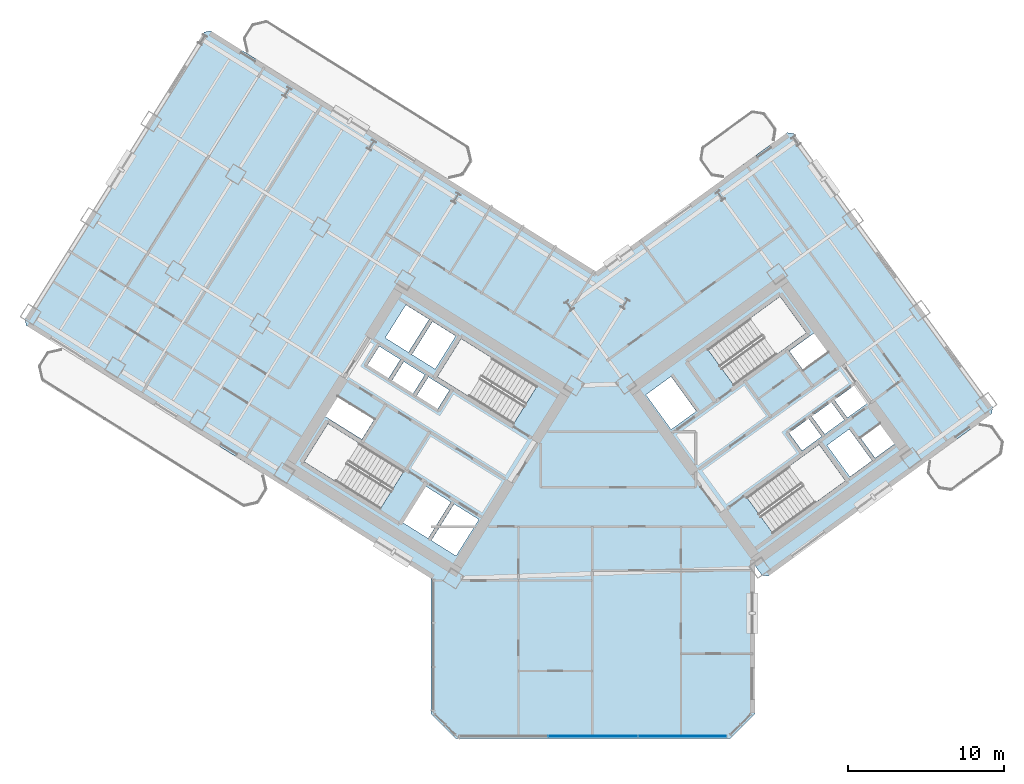
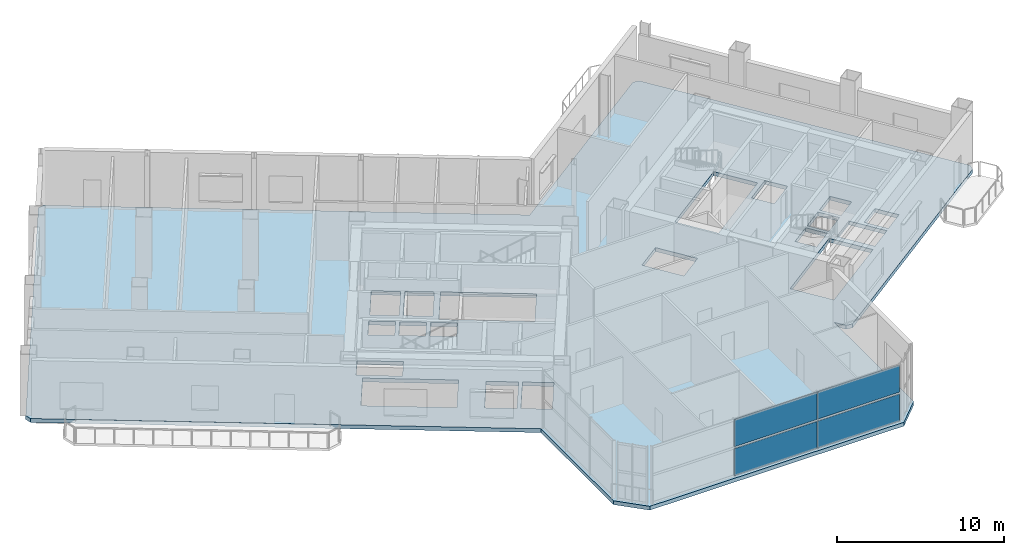
# One storey, part 9 of 19: 4 plates, 1 slab, 1 element without a shape of its own.
"""IFC4 building model written with IfcOpenShell, lengths in metres."""

from ifc_helpers import new_model, si_unit, direction, frame, origin, origin_2d, place, context, subcontext, project, spatial, polyline, rectangle, outline, extrude, source, transform, mapped, material, layer, layer_set, type_object, element, aggregate, save


model = new_model("IFC4")

# Units and contexts
model_context = context("Model", 3, precision=1e-05, world=origin(), true_north=direction((0.0, 1.0)))
body_context = subcontext(model_context, "Body", "Model", "MODEL_VIEW")
ifc_project = project(units=[si_unit("LENGTHUNIT", "METRE"), si_unit("AREAUNIT", "SQUARE_METRE"), si_unit("VOLUMEUNIT", "CUBIC_METRE"), si_unit("PLANEANGLEUNIT", "RADIAN"), si_unit("MASSUNIT", "GRAM", prefix="KILO")], contexts=[model_context])

# Site, building, storey
site_placement = place(None, origin())
site = spatial("IfcSite", under=ifc_project, at=site_placement, CompositionType="ELEMENT")
building_placement = place(site_placement, origin())
building = spatial("IfcBuilding", under=site, at=building_placement, Name="Tlacorven Tower", CompositionType="ELEMENT")
storey_placement = place(building_placement, frame((0.0, 0.0, 76.5)))
storey = spatial("IfcBuildingStorey", under=building, at=storey_placement, Name="L19", CompositionType="ELEMENT", Elevation=76.5)

# Slab
ifc_material_1 = material(Name="Concrete C50/60", Category="concrete")
ifc_layer_1 = layer(ifc_material_1, 0.280029296875)
ifc_layer_set_1 = layer_set([ifc_layer_1], Name="Concrete C50/60")
slab_type = type_object("IfcSlabType", Name="SL-WND-280", PredefinedType="FLOOR", material=ifc_layer_set_1)
slab_placement = place(storey_placement, frame((0.0, 0.0, -0.280029296875)))
element("IfcSlab", 1, at=slab_placement, inside=storey, type_object=slab_type, Name="L19 Boomerang Tower Floor Slab", PredefinedType="FLOOR", context=body_context, shape_type="SweptSolid", body=[
    extrude(outline(polyline([(52.39990234375, 3.39990234375), (50.800048828125, 1.800048828125), (33.199951171875, 1.800048828125), (31.60009765625, 3.39990234375), (31.60009765625, 12.09423828125), (5.62451171875, 28.32568359375), (5.529052734375, 28.739013671875), (17.0390625, 47.15869140625), (17.452392578125, 47.254150390625), (42.19970703125, 31.790283203125), (54.481689453125, 40.713623046875), (54.90087890625, 40.647216796875), (67.66748046875, 23.075439453125), (67.60107421875, 22.656494140625), (53.265380859375, 12.24072265625), (52.846435546875, 12.30712890625), (52.39990234375, 12.921630859375), (52.39990234375, 3.39990234375)]), holes=[polyline([(29.865478515625, 18.979736328125), (24.9892578125, 22.02685546875), (23.463134765625, 19.58447265625), (28.33935546875, 16.537353515625), (29.865478515625, 18.979736328125)]), polyline([(38.4169921875, 24.4375), (33.540771484375, 27.484375), (32.0146484375, 25.0419921875), (36.890869140625, 21.9951171875), (38.4169921875, 24.4375)]), polyline([(51.05908203125, 24.481689453125), (55.7109375, 27.861572265625), (54.01806640625, 30.19140625), (49.3662109375, 26.811767578125), (51.05908203125, 24.481689453125)]), polyline([(53.56298828125, 14.978759765625), (58.21484375, 18.3583984375), (56.52197265625, 20.6884765625), (51.8701171875, 17.30859375), (53.56298828125, 14.978759765625)]), polyline([(34.682373046875, 15.87548828125), (33.088134765625, 16.871826171875), (31.62548828125, 14.531005859375), (33.2197265625, 13.534912109375), (34.682373046875, 15.87548828125)]), polyline([(32.884521484375, 16.9990234375), (31.2392578125, 18.02685546875), (29.77685546875, 15.686279296875), (31.421875, 14.658203125), (32.884521484375, 16.9990234375)]), polyline([(47.0234375, 21.648681640625), (48.6416015625, 22.82421875), (47.019287109375, 25.05712890625), (45.401123046875, 23.881591796875), (47.0234375, 21.648681640625)]), polyline([(33.197265625, 27.65185546875), (31.704833984375, 28.58447265625), (30.3798828125, 26.46435546875), (31.87255859375, 25.53173828125), (33.197265625, 27.65185546875)]), polyline([(31.484375, 28.722412109375), (29.99169921875, 29.655029296875), (28.6669921875, 27.534912109375), (30.159423828125, 26.602294921875), (31.484375, 28.722412109375)]), polyline([(32.794921875, 24.17724609375), (31.43798828125, 25.025146484375), (30.685546875, 23.82080078125), (32.042236328125, 22.972900390625), (32.794921875, 24.17724609375)]), polyline([(31.217529296875, 25.162841796875), (29.860595703125, 26.0107421875), (29.108154296875, 24.806396484375), (30.465087890625, 23.958740234375), (31.217529296875, 25.162841796875)]), polyline([(29.64013671875, 26.1484375), (28.283203125, 26.996337890625), (27.53076171875, 25.792236328125), (28.8876953125, 24.9443359375), (29.64013671875, 26.1484375)]), polyline([(55.427734375, 20.288818359375), (56.68994140625, 21.205810546875), (55.855224609375, 22.354736328125), (54.59326171875, 21.437744140625), (55.427734375, 20.288818359375)]), polyline([(56.884033203125, 21.346923828125), (58.146240234375, 22.263916015625), (57.3115234375, 23.41259765625), (56.04931640625, 22.495849609375), (56.884033203125, 21.346923828125)]), polyline([(58.34033203125, 22.405029296875), (59.602294921875, 23.322021484375), (58.767578125, 24.470703125), (57.505615234375, 23.5537109375), (58.34033203125, 22.405029296875)]), polyline([(58.498779296875, 18.614013671875), (59.922607421875, 19.648681640625), (58.453125, 21.671142578125), (57.029296875, 20.63671875), (58.498779296875, 18.614013671875)]), polyline([(27.96142578125, 22.2919921875), (25.603759765625, 23.76513671875), (24.80908203125, 22.4931640625), (27.16650390625, 21.02001953125), (27.96142578125, 22.2919921875)]), polyline([(55.490478515625, 25.4765625), (57.092529296875, 26.640380859375), (56.210693359375, 27.85400390625), (54.60888671875, 26.690185546875), (55.490478515625, 25.4765625)]), polyline([(60.12109375, 19.817626953125), (61.38330078125, 20.734619140625), (60.45458984375, 22.012939453125), (59.192626953125, 21.095947265625), (60.12109375, 19.817626953125)])]), origin(), (0.0, 0.0, 1.0), 0.280029296875),
])

# Curtain wall, plates
ifc_material_2 = material(Name="Dark solar low-E double glazing in aluminium frame", Category="aluminium")
curtain_wall_type = type_object("IfcCurtainWallType", Name="CW-COM-AMENITY", PredefinedType="USERDEFINED", material=ifc_material_2)
curtain_wall_placement = place(storey_placement, origin())
curtain_wall = element("IfcCurtainWall", 2, at=curtain_wall_placement, inside=storey, type_object=curtain_wall_type, Name="L19 CW-COM-AMENITY Curtain Wall 104", ObjectType="UNITISED CURTAIN WALL", PredefinedType="USERDEFINED")
ifc_material_3 = material(Name="Dark solar acoustic laminated low-E glazing", Category="glass")
ifc_layer_2 = layer(ifc_material_3, 0.035888671875)
ifc_layer_set_2 = layer_set([ifc_layer_2], Name="Dark solar acoustic laminated low-E glazing")
plate_type = type_object("IfcPlateType", Name="CWP-01", PredefinedType="CURTAIN_PANEL", material=ifc_layer_set_2)
shared_shape_1 = source(origin(), body_context, "Body", "SweptSolid", [
    extrude(rectangle(XDim=5.668701171875, YDim=0.035888671875, at=origin_2d()), origin(), (0.0, 0.0, 1.0), 1.98291015625),
])
plate_1_placement = place(storey_placement, frame((47.73828125, 1.9599609375, 0.071044921875), z_axis=(0.0, 0.0, 1.0), x_axis=(-1.0, 0.0, 0.0)))
plate_1 = element("IfcPlate", 3, at=plate_1_placement, type_object=plate_type, Name="CW-L19-104 Glazing Panel 1", PredefinedType="CURTAIN_PANEL", context=body_context, shape_type="MappedRepresentation", body=[
    mapped(shared_shape_1, transform((0.0, 0.0, 0.0), scale=1.0)),
])
plate_2_placement = place(storey_placement, frame((47.73828125, 1.9599609375, 2.196044921875), z_axis=(0.0, 0.0, 1.0), x_axis=(-1.0, 0.0, 0.0)))
plate_2 = element("IfcPlate", 4, at=plate_2_placement, type_object=plate_type, Name="CW-L19-104 Glazing Panel 2", PredefinedType="CURTAIN_PANEL", context=body_context, shape_type="MappedRepresentation", body=[
    mapped(shared_shape_1, transform((0.0, 0.0, 0.0), scale=1.0)),
])
shared_shape_2 = source(origin(), body_context, "Body", "SweptSolid", [
    extrude(rectangle(XDim=5.703857421875, YDim=0.035888671875, at=origin_2d()), origin(), (0.0, 0.0, 1.0), 1.98291015625),
])
plate_3_placement = place(storey_placement, frame((42.0, 1.9599609375, 0.071044921875), z_axis=(0.0, 0.0, 1.0), x_axis=(-1.0, 0.0, 0.0)))
plate_3 = element("IfcPlate", 5, at=plate_3_placement, type_object=plate_type, Name="CW-L19-104 Glazing Panel 3", PredefinedType="CURTAIN_PANEL", context=body_context, shape_type="MappedRepresentation", body=[
    mapped(shared_shape_2, transform((0.0, 0.0, 0.0), scale=1.0)),
])
plate_4_placement = place(storey_placement, frame((42.0, 1.9599609375, 2.196044921875), z_axis=(0.0, 0.0, 1.0), x_axis=(-1.0, 0.0, 0.0)))
plate_4 = element("IfcPlate", 6, at=plate_4_placement, type_object=plate_type, Name="CW-L19-104 Glazing Panel 4", PredefinedType="CURTAIN_PANEL", context=body_context, shape_type="MappedRepresentation", body=[
    mapped(shared_shape_2, transform((0.0, 0.0, 0.0), scale=1.0)),
])
aggregate(curtain_wall, [plate_1, plate_2, plate_3, plate_4])

save(model, "model.ifc")
